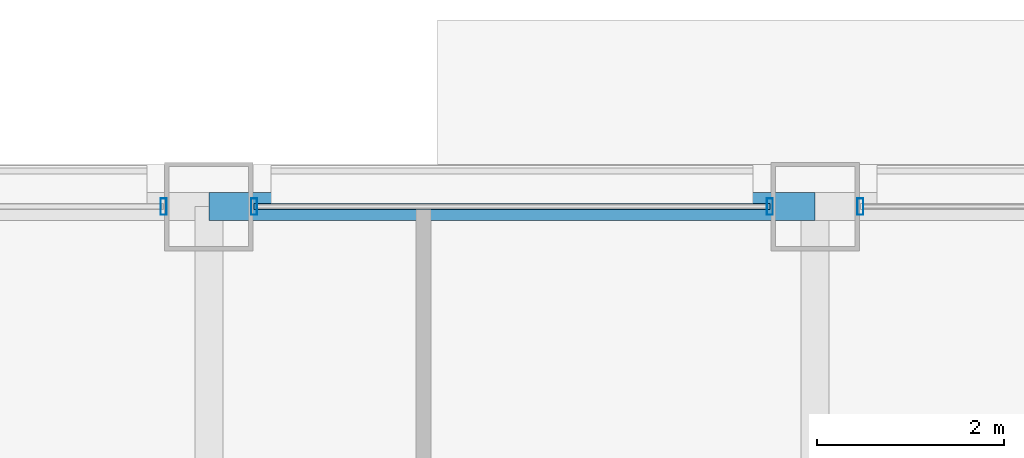
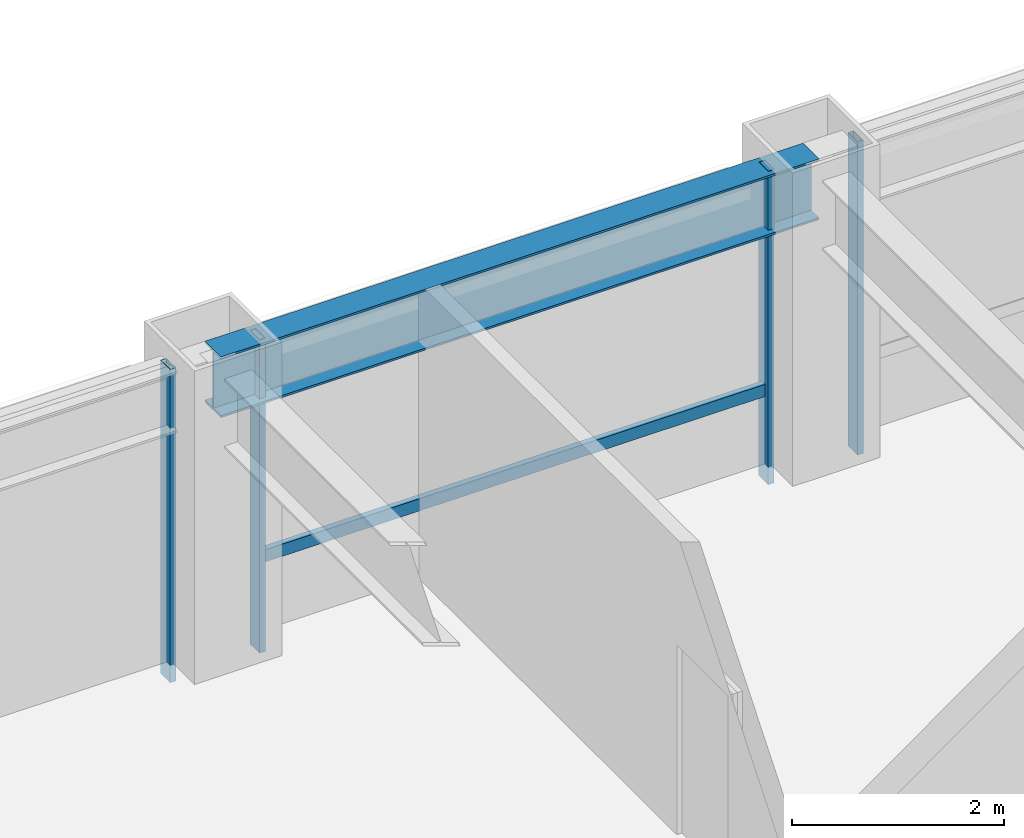
# One storey, part 21 of 28: 5 members, 1 beam, 3 elements without a shape of their own.
"""IFC4 building model written with IfcOpenShell, lengths in metres."""

from ifc_helpers import new_model, si_unit, direction, frame, origin, origin_2d, place, context, subcontext, project, spatial, hollow_rectangle, i_section, extrude, material, layer, layer_set, material_profile, profile_set, type_object, element, aggregate, save


model = new_model("IFC4")

# Units and contexts
model_context = context("Model", 3, precision=1e-05, world=origin(), true_north=direction((0.0, 1.0)))
body_context = subcontext(model_context, "Body", "Model", "MODEL_VIEW")
ifc_project = project(units=[si_unit("LENGTHUNIT", "METRE"), si_unit("AREAUNIT", "SQUARE_METRE"), si_unit("VOLUMEUNIT", "CUBIC_METRE"), si_unit("PLANEANGLEUNIT", "RADIAN"), si_unit("MASSUNIT", "GRAM", prefix="KILO")], contexts=[model_context])

# Site, building, storey
site_placement = place(None, origin())
site = spatial("IfcSite", under=ifc_project, at=site_placement, CompositionType="ELEMENT")
building_placement = place(site_placement, origin())
building = spatial("IfcBuilding", under=site, at=building_placement, Name="Brelmoor Portico Tower", CompositionType="ELEMENT")
storey_placement = place(building_placement, frame((0.0, 0.0, 49.199951171875)))
storey = spatial("IfcBuildingStorey", under=building, at=storey_placement, Name="L12", CompositionType="ELEMENT", Elevation=49.199951171875)

# Beam
ifc_material_1 = material(Name="Steel Q355B", Category="steel")
ifc_material_profile_1 = material_profile(ifc_material_1, i_section(OverallWidth=0.300048828125, OverallDepth=0.699951171875, WebThickness=0.012939453125, FlangeThickness=0.02392578125, at=origin_2d()), Name="HN 700x300x13x24")
ifc_profile_set_1 = profile_set([ifc_material_profile_1], Name="Steel Q355B")
beam_type = type_object("IfcBeamType", Name="BM-SP-700", PredefinedType="SPANDREL", material=ifc_profile_set_1)
beam_placement = place(storey_placement, frame((8.050048828125, 21.550048828125, 3.050048828125), z_axis=(1.0, 0.0, 0.0), x_axis=(0.0, 1.0, 0.0)))
element("IfcBeam", 1, at=beam_placement, inside=storey, type_object=beam_type, Name="L12 Perimeter Spandrel Beam SP-13", PredefinedType="SPANDREL", context=body_context, shape_type="SweptSolid", body=[
    extrude(i_section(OverallWidth=0.300048828125, OverallDepth=0.699951171875, WebThickness=0.012939453125, FlangeThickness=0.02392578125, at=origin_2d()), origin(), (0.0, 0.0, 1.0), 6.5),
])

# Curtain wall, member
ifc_material_2 = material(Name="Anodised Aluminium Alloy 6063-T6", Category="aluminium")
ifc_layer_1 = layer(ifc_material_2, 0.179931640625)
ifc_layer_set_1 = layer_set([ifc_layer_1], Name="Anodised Aluminium Alloy 6063-T6")
curtain_wall_type_1 = type_object("IfcCurtainWallType", Name="CW-TOWER-Z1-XB", PredefinedType="NOTDEFINED", material=ifc_layer_set_1)
curtain_wall_1_placement = place(storey_placement, origin())
curtain_wall_1 = element("IfcCurtainWall", 2, at=curtain_wall_1_placement, inside=storey, type_object=curtain_wall_type_1, Name="L12 Curtain Wall CW-L12-02-3", PredefinedType="NOTDEFINED")
ifc_material_profile_2 = material_profile(ifc_material_2, hollow_rectangle(XDim=0.06494140625, YDim=0.179931640625, WallThickness=0.00390625, at=origin_2d()), Name="ALU MULLION 65x180")
ifc_profile_set_2 = profile_set([ifc_material_profile_2], Name="Anodised Aluminium Alloy 6063-T6")
member_type_1 = type_object("IfcMemberType", Name="MB-CW-MULL-180", PredefinedType="MULLION", material=ifc_profile_set_2)
member_1_placement = place(storey_placement, frame((7.56494140625, 21.550048828125, -0.199951171875), z_axis=(0.0, 0.0, 1.0), x_axis=(1.0, 0.0, 0.0)))
member_1 = element("IfcMember", 3, at=member_1_placement, type_object=member_type_1, Name="CW-L12-02-3 Mullion 01", PredefinedType="MULLION", context=body_context, shape_type="SweptSolid", body=[
    extrude(hollow_rectangle(XDim=0.06494140625, YDim=0.179931640625, WallThickness=0.00390625, at=origin_2d()), origin(), (0.0, 0.0, 1.0), 3.60009765625),
])
aggregate(curtain_wall_1, [member_1])

# Curtain wall, members
ifc_layer_2 = layer(ifc_material_2, 0.179931640625)
ifc_layer_set_2 = layer_set([ifc_layer_2], Name="Anodised Aluminium Alloy 6063-T6")
curtain_wall_type_2 = type_object("IfcCurtainWallType", Name="CW-TOWER-Z1", PredefinedType="NOTDEFINED", material=ifc_layer_set_2)
curtain_wall_2_placement = place(storey_placement, origin())
curtain_wall_2 = element("IfcCurtainWall", 4, at=curtain_wall_2_placement, inside=storey, type_object=curtain_wall_type_2, Name="L12 Curtain Wall CW-L12-02-4", PredefinedType="NOTDEFINED")
member_2_placement = place(storey_placement, frame((8.534912109375, 21.550048828125, -0.199951171875), z_axis=(0.0, 0.0, 1.0), x_axis=(1.0, 0.0, 0.0)))
member_2 = element("IfcMember", 5, at=member_2_placement, type_object=member_type_1, Name="CW-L12-02-4 Mullion 00", PredefinedType="MULLION", context=body_context, shape_type="SweptSolid", body=[
    extrude(hollow_rectangle(XDim=0.06494140625, YDim=0.179931640625, WallThickness=0.00390625, at=origin_2d()), origin(), (0.0, 0.0, 1.0), 3.60009765625),
])
member_3_placement = place(storey_placement, frame((14.06494140625, 21.550048828125, -0.199951171875), z_axis=(0.0, 0.0, 1.0), x_axis=(1.0, 0.0, 0.0)))
member_3 = element("IfcMember", 6, at=member_3_placement, type_object=member_type_1, Name="CW-L12-02-4 Mullion 01", PredefinedType="MULLION", context=body_context, shape_type="SweptSolid", body=[
    extrude(hollow_rectangle(XDim=0.06494140625, YDim=0.179931640625, WallThickness=0.00390625, at=origin_2d()), origin(), (0.0, 0.0, 1.0), 3.60009765625),
])

# Curtain wall, member
curtain_wall_3_placement = place(storey_placement, origin())
curtain_wall_3 = element("IfcCurtainWall", 7, at=curtain_wall_3_placement, inside=storey, type_object=curtain_wall_type_2, Name="L12 Curtain Wall CW-L12-02-5", PredefinedType="NOTDEFINED")
member_4_placement = place(storey_placement, frame((15.034912109375, 21.550048828125, -0.199951171875), z_axis=(0.0, 0.0, 1.0), x_axis=(1.0, 0.0, 0.0)))
member_4 = element("IfcMember", 8, at=member_4_placement, type_object=member_type_1, Name="CW-L12-02-5 Mullion 00", PredefinedType="MULLION", context=body_context, shape_type="SweptSolid", body=[
    extrude(hollow_rectangle(XDim=0.06494140625, YDim=0.179931640625, WallThickness=0.00390625, at=origin_2d()), origin(), (0.0, 0.0, 1.0), 3.60009765625),
])
aggregate(curtain_wall_3, [member_4])

# Member
ifc_material_profile_3 = material_profile(ifc_material_2, hollow_rectangle(XDim=0.06494140625, YDim=0.139892578125, WallThickness=0.00390625, at=origin_2d()), Name="ALU TRANSOM 65x140")
ifc_profile_set_3 = profile_set([ifc_material_profile_3], Name="Anodised Aluminium Alloy 6063-T6")
member_type_2 = type_object("IfcMemberType", Name="MB-CW-TRAN-140", PredefinedType="USERDEFINED", material=ifc_profile_set_3)
member_5_placement = place(storey_placement, frame((8.534912109375, 21.550048828125, 0.85009765625), z_axis=(1.0, 0.0, 0.0), x_axis=(0.0, 1.0, 0.0)))
member_5 = element("IfcMember", 9, at=member_5_placement, type_object=member_type_2, Name="CW-L12-02-4 Transom 1-00", ObjectType="TRANSOM", PredefinedType="USERDEFINED", context=body_context, shape_type="SweptSolid", body=[
    extrude(hollow_rectangle(XDim=0.06494140625, YDim=0.139892578125, WallThickness=0.00390625, at=origin_2d()), origin(), (0.0, 0.0, 1.0), 5.530029296875),
])

aggregate(curtain_wall_2, [member_2, member_3, member_5])

save(model, "model.ifc")
